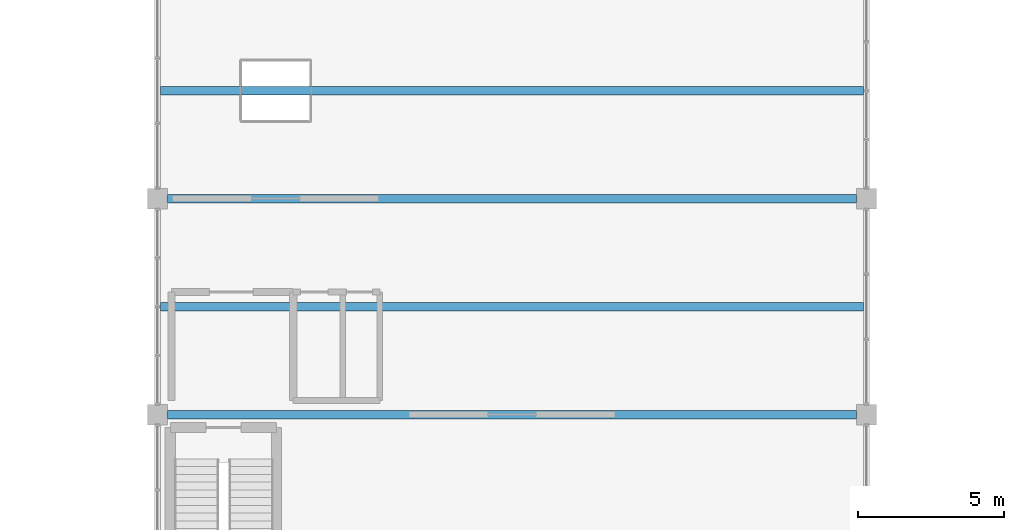
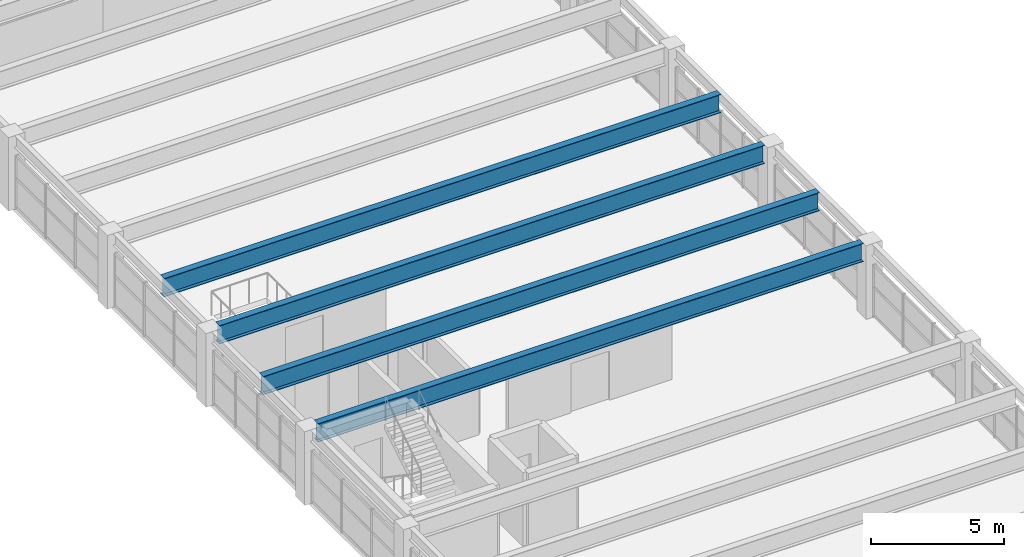
# One storey, part 60 of 121: 4 beams.
"""IFC4 building model written with IfcOpenShell, lengths in metres."""

import ifcopenshell
import ifcopenshell.guid

model = None  # the IFC model being written
_history = None  # IfcOwnerHistory: only IFC2X3 demands one
_inside = {}  # id of a spatial element -> (the spatial element, [elements in it])
_under = {}  # id of a project, library or spatial element -> (it, [spatial elements below it])
_declared = {}  # id of a project -> (the project, [libraries it declares])
_typed = {}  # id of a type object -> (the type object, [elements of that type])
_made_of = {}  # id of a material, layer set ... -> (it, [elements and type objects made of it])


def new_model(schema):
    """Start an empty IFC model of exactly this schema.

    Asked for "IFC4X3", IfcOpenShell would pick the latest addendum, in which some entities
    have other attributes; the version numbers below select the first issue.
    IFC2X3 requires an IfcOwnerHistory on every rooted entity: one is made here for all.
    """
    global model, _history
    if schema == "IFC4X3":
        model = ifcopenshell.file(schema_version=(4, 3, 0, 0))
    else:
        model = ifcopenshell.file(schema=schema)
    _inside.clear()
    _under.clear()
    _declared.clear()
    _typed.clear()
    _made_of.clear()
    _history = None
    if model.schema == "IFC2X3":
        org = make("IfcOrganization", Name="unknown")
        user = make(
            "IfcPersonAndOrganization",
            ThePerson=make("IfcPerson", FamilyName="unknown"),
            TheOrganization=org,
        )
        app = make(
            "IfcApplication",
            ApplicationDeveloper=org,
            Version="unknown",
            ApplicationFullName="unknown",
            ApplicationIdentifier="unknown",
        )
        _history = make(
            "IfcOwnerHistory",
            OwningUser=user,
            OwningApplication=app,
            ChangeAction="ADDED",
            CreationDate=0,
        )
    return model


def make(cls, **values):
    """One entity of the class cls with the attributes given. An attribute that is None is left unset."""
    return model.create_entity(
        cls, **{name: value for name, value in values.items() if value is not None}
    )


def rooted(cls, **values):
    """An entity with a GlobalId (a new one), such as an element, a storey or a relation."""
    return make(cls, GlobalId=ifcopenshell.guid.new(), OwnerHistory=_history, **values)


def si_unit(unit_type, name, prefix=None):
    """IfcSIUnit, for example si_unit("LENGTHUNIT", "METRE", prefix="MILLI")."""
    return make("IfcSIUnit", UnitType=unit_type, Prefix=prefix, Name=name)


def assignment(units):
    """IfcUnitAssignment: the units of a project."""
    return None if units is None else make("IfcUnitAssignment", Units=units)


def point(xyz):
    """IfcCartesianPoint."""
    return None if xyz is None else make("IfcCartesianPoint", Coordinates=xyz)


def direction(xyz):
    """IfcDirection."""
    return None if xyz is None else make("IfcDirection", DirectionRatios=xyz)


def frame(location, z_axis=None, x_axis=None):
    """IfcAxis2Placement3D, a coordinate frame: its origin and axes. An axis left out is left unset."""
    return make(
        "IfcAxis2Placement3D",
        Location=point(location),
        Axis=direction(z_axis),
        RefDirection=direction(x_axis),
    )


def frame_2d(location, x_axis=None):
    """IfcAxis2Placement2D, a coordinate frame in the plane: its origin and x axis."""
    return make(
        "IfcAxis2Placement2D", Location=point(location), RefDirection=direction(x_axis)
    )


def origin():
    """The frame at (0, 0, 0) with its axes left unset."""
    return frame((0.0, 0.0, 0.0))


def origin_2d():
    """The frame at (0, 0) in the plane with its x axis left unset."""
    return frame_2d((0.0, 0.0))


def place(relative_to, where):
    """IfcLocalPlacement: puts the frame where relative to a parent placement (None: the world)."""
    return make(
        "IfcLocalPlacement", PlacementRelTo=relative_to, RelativePlacement=where
    )


def context(
    kind, dimensions, precision=None, world=None, true_north=None, identifier=None
):
    """IfcGeometricRepresentationContext, for example the 3D "Model" context."""
    return make(
        "IfcGeometricRepresentationContext",
        ContextIdentifier=identifier,
        ContextType=kind,
        CoordinateSpaceDimension=dimensions,
        Precision=precision,
        WorldCoordinateSystem=world,
        TrueNorth=true_north,
    )


def subcontext(parent, identifier, kind, view, scale=None):
    """IfcGeometricRepresentationSubContext, for example "Body" below "Model"."""
    return make(
        "IfcGeometricRepresentationSubContext",
        ContextIdentifier=identifier,
        ContextType=kind,
        ParentContext=parent,
        TargetScale=scale,
        TargetView=view,
    )


def project(units=None, contexts=None):
    """IfcProject with its units and contexts."""
    return rooted(
        "IfcProject",
        Name="project",
        RepresentationContexts=contexts,
        UnitsInContext=assignment(units),
    )


def spatial(cls, under=None, at=None, **own):
    """A site, building, storey or space (cls), placed at a placement, below another one or the project."""
    s = rooted(cls, ObjectPlacement=at, **own)
    if under is not None:
        _under.setdefault(under.id(), (under, []))[1].append(s)
    return s


def profile(cls, at=None, kind="AREA", **sizes):
    """A parametric profile (cls). Its sizes go by their IFC names, for example OverallWidth=200.0."""
    return make(cls, ProfileType=kind, Position=at, **sizes)


def i_section(**sizes):
    """IfcIShapeProfileDef."""
    return profile("IfcIShapeProfileDef", **sizes)


def extrude(swept, where, along, depth):
    """IfcExtrudedAreaSolid: the profile swept, set in the frame where, extruded along a direction by depth."""
    return make(
        "IfcExtrudedAreaSolid",
        SweptArea=swept,
        Position=where,
        ExtrudedDirection=direction(along),
        Depth=depth,
    )


def shape(context_of_items, identifier, shape_type, items):
    """IfcShapeRepresentation: the items that make up one representation, for example the "Body"."""
    return make(
        "IfcShapeRepresentation",
        ContextOfItems=context_of_items,
        RepresentationIdentifier=identifier,
        RepresentationType=shape_type,
        Items=items,
    )


def material(Name=None, Category=None):
    """IfcMaterial."""
    return make("IfcMaterial", Name=Name, Category=Category)


def material_profile(
    of_material, cross_section, Name=None, Category=None, Priority=None
):
    """IfcMaterialProfile: a cross section and its material."""
    return make(
        "IfcMaterialProfile",
        Name=Name,
        Material=of_material,
        Profile=cross_section,
        Priority=Priority,
        Category=Category,
    )


def profile_set(profiles, Name=None, composite=None):
    """IfcMaterialProfileSet."""
    return make(
        "IfcMaterialProfileSet",
        Name=Name,
        MaterialProfiles=profiles,
        CompositeProfile=composite,
    )


def made_of(thing, what):
    """Note that an element or type object is made of a material, layer set ...; save() writes the relation."""
    if what is not None:
        _made_of.setdefault(what.id(), (what, []))[1].append(thing)
    return thing


def type_object(cls, material=None, **own):
    """A type object (cls), such as IfcWallType, which elements share."""
    return made_of(rooted(cls, **own), material)


def element(
    cls,
    number,
    at=None,
    inside=None,
    cuts=None,
    type_object=None,
    material=None,
    context=None,
    identifier="Body",
    shape_type=None,
    held_by="IfcProductDefinitionShape",
    body=None,
    shapes=None,
    **own,
):
    """One element of the class cls, such as IfcWall. Its Tag is "e" and its number.

    at: its placement. inside: the storey or other place that contains it. cuts: it is an
    opening in that element (IfcRelVoidsElement). A single representation is given by context,
    identifier, shape_type and body (its items); several are given by shapes. held_by: the class
    of the entity that holds the representations. save() writes the other relations.
    """
    e = rooted(cls, Tag="e%d" % number, ObjectPlacement=at, **own)
    if body is not None:
        shapes = [shape(context, identifier, shape_type, body)]
    if shapes is not None:
        e.Representation = make(held_by, Representations=shapes)
    if inside is not None:
        _inside.setdefault(inside.id(), (inside, []))[1].append(e)
    if cuts is not None:
        rooted(
            "IfcRelVoidsElement", RelatingBuildingElement=cuts, RelatedOpeningElement=e
        )
    if type_object is not None:
        _typed.setdefault(type_object.id(), (type_object, []))[1].append(e)
    return made_of(e, material)


def aggregate(whole, parts):
    """IfcRelAggregates: a whole, such as a stair, and the parts it consists of."""
    return rooted("IfcRelAggregates", RelatingObject=whole, RelatedObjects=parts)


def save(model, path):
    """Write the relations noted so far, then the file.

    IfcRelAggregates (storeys below a building ...), IfcRelContainedInSpatialStructure (elements
    in a storey), IfcRelDefinesByType, IfcRelAssociatesMaterial and IfcRelDeclares: one each for
    every whole, place, type object, material and project.
    """
    for whole, parts in _under.values():
        aggregate(whole, parts)
    for where, things in _inside.values():
        rooted(
            "IfcRelContainedInSpatialStructure",
            RelatedElements=things,
            RelatingStructure=where,
        )
    for kind, things in _typed.values():
        rooted("IfcRelDefinesByType", RelatedObjects=things, RelatingType=kind)
    for what, things in _made_of.values():
        rooted("IfcRelAssociatesMaterial", RelatedObjects=things, RelatingMaterial=what)
    for by, libraries in _declared.values():
        rooted("IfcRelDeclares", RelatingContext=by, RelatedDefinitions=libraries)
    model.write(path)


model = new_model("IFC4")

# Units and contexts
model_context = context("Model", 3, precision=1e-05, world=origin(), true_north=direction((0.0, 1.0)))
body_context = subcontext(model_context, "Body", "Model", "MODEL_VIEW")
ifc_project = project(units=[si_unit("LENGTHUNIT", "METRE"), si_unit("AREAUNIT", "SQUARE_METRE"), si_unit("VOLUMEUNIT", "CUBIC_METRE"), si_unit("PLANEANGLEUNIT", "RADIAN"), si_unit("MASSUNIT", "GRAM", prefix="KILO")], contexts=[model_context])

# Site, building, storey
site_placement = place(None, origin())
site = spatial("IfcSite", under=ifc_project, at=site_placement, CompositionType="ELEMENT")
building_placement = place(site_placement, origin())
building = spatial("IfcBuilding", under=site, at=building_placement, Name="Cimatlan Art Gallery", CompositionType="ELEMENT")
storey_placement = place(building_placement, frame((0.0, 0.0, 10.199951171875)))
storey = spatial("IfcBuildingStorey", under=building, at=storey_placement, Name="L02", CompositionType="ELEMENT", Elevation=10.199951171875)

# Beams
ifc_material = material(Name="Steel ASTM A992 Grade 50", Category="steel")
ifc_material_profile = material_profile(ifc_material, i_section(OverallWidth=0.2919921875, OverallDepth=0.845947265625, WebThickness=0.015380859375, FlangeThickness=0.0244140625, at=origin_2d()), Name="W33X141")
ifc_profile_set = profile_set([ifc_material_profile], Name="Steel ASTM A992 Grade 50")
beam_type = type_object("IfcBeamType", Name="BM-SPAN24-L03", PredefinedType="BEAM", material=ifc_profile_set)
beam_1_placement = place(storey_placement, frame((75.25, 68.300048828125, 2.947021484375), z_axis=(1.0, 0.0, 0.0), x_axis=(0.0, 1.0, 0.0)))
element("IfcBeam", 1, at=beam_1_placement, inside=storey, type_object=beam_type, Name="BM-SP24-L02-09", PredefinedType="BEAM", context=body_context, shape_type="SweptSolid", body=[
    extrude(i_section(OverallWidth=0.2919921875, OverallDepth=0.845947265625, WebThickness=0.015380859375, FlangeThickness=0.0244140625, at=origin_2d()), origin(), (0.0, 0.0, 1.0), 23.60009765625),
])
beam_2_placement = place(storey_placement, frame((75.0048828125, 72.0, 2.947021484375), z_axis=(1.0, 0.0, 0.0), x_axis=(0.0, 1.0, 0.0)))
element("IfcBeam", 2, at=beam_2_placement, inside=storey, type_object=beam_type, Name="BM-SP24M-L02-09", PredefinedType="BEAM", context=body_context, shape_type="SweptSolid", body=[
    extrude(i_section(OverallWidth=0.2919921875, OverallDepth=0.845947265625, WebThickness=0.015380859375, FlangeThickness=0.0244140625, at=origin_2d()), origin(), (0.0, 0.0, 1.0), 24.090087890625),
])
beam_3_placement = place(storey_placement, frame((75.25, 75.699951171875, 2.947021484375), z_axis=(1.0, 0.0, 0.0), x_axis=(0.0, 1.0, 0.0)))
element("IfcBeam", 3, at=beam_3_placement, inside=storey, type_object=beam_type, Name="BM-SP24-L02-10", PredefinedType="BEAM", context=body_context, shape_type="SweptSolid", body=[
    extrude(i_section(OverallWidth=0.2919921875, OverallDepth=0.845947265625, WebThickness=0.015380859375, FlangeThickness=0.0244140625, at=origin_2d()), origin(), (0.0, 0.0, 1.0), 23.60009765625),
])
beam_4_placement = place(storey_placement, frame((75.0048828125, 79.39990234375, 2.947021484375), z_axis=(1.0, 0.0, 0.0), x_axis=(0.0, 1.0, 0.0)))
element("IfcBeam", 4, at=beam_4_placement, inside=storey, type_object=beam_type, Name="BM-SP24M-L02-10", PredefinedType="BEAM", context=body_context, shape_type="SweptSolid", body=[
    extrude(i_section(OverallWidth=0.2919921875, OverallDepth=0.845947265625, WebThickness=0.015380859375, FlangeThickness=0.0244140625, at=origin_2d()), origin(), (0.0, 0.0, 1.0), 24.090087890625),
])

save(model, "model.ifc")
